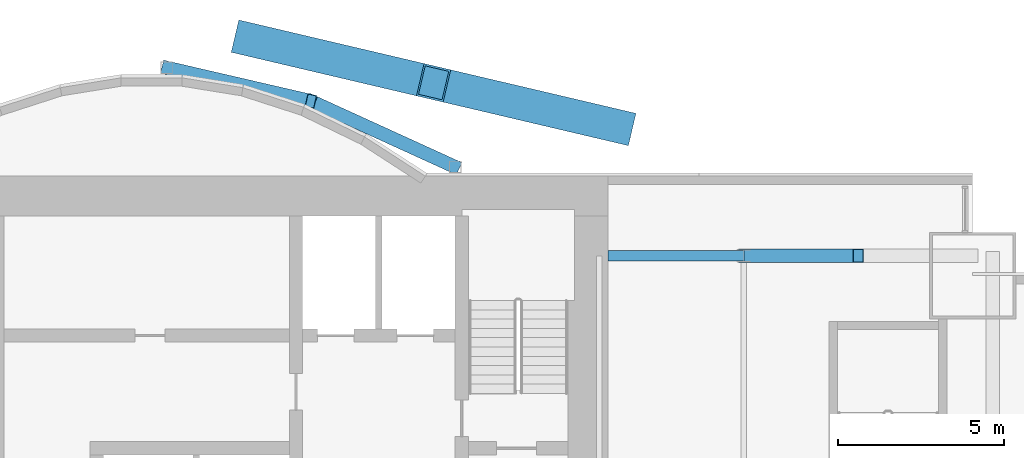
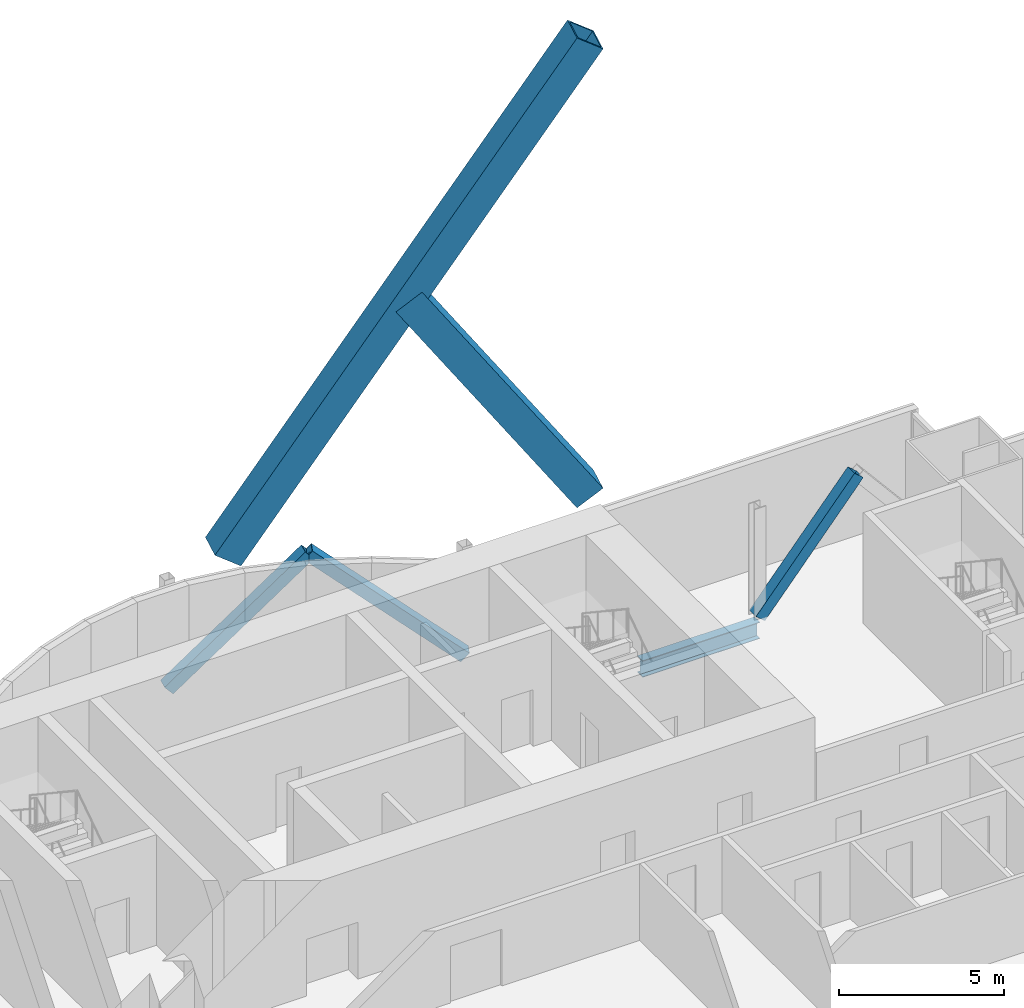
# One storey, part 13 of 23: 5 members, 1 beam.
"""IFC4 building model written with IfcOpenShell, lengths in metres."""

from ifc_helpers import new_model, si_unit, direction, frame, origin, origin_2d, place, context, subcontext, project, spatial, hollow_rectangle, i_section, extrude, material, material_profile, profile_set, type_object, element, save


model = new_model("IFC4")

# Units and contexts
model_context = context("Model", 3, precision=1e-05, world=origin(), true_north=direction((0.0, 1.0)))
body_context = subcontext(model_context, "Body", "Model", "MODEL_VIEW")
ifc_project = project(units=[si_unit("LENGTHUNIT", "METRE"), si_unit("AREAUNIT", "SQUARE_METRE"), si_unit("VOLUMEUNIT", "CUBIC_METRE"), si_unit("PLANEANGLEUNIT", "RADIAN"), si_unit("MASSUNIT", "GRAM", prefix="KILO")], contexts=[model_context])

# Site, building, storey
site_placement = place(None, origin())
site = spatial("IfcSite", under=ifc_project, at=site_placement, CompositionType="ELEMENT")
building_placement = place(site_placement, origin())
building = spatial("IfcBuilding", under=site, at=building_placement, Name="Bicima Exchange Tower", CompositionType="ELEMENT")
storey_placement = place(building_placement, frame((0.0, 0.0, 152.699951171875)))
storey = spatial("IfcBuildingStorey", under=building, at=storey_placement, Name="L33", CompositionType="ELEMENT", Elevation=152.699951171875)

# Members
ifc_material_1 = material(Name="Steel ASTM A572 Gr 50", Category="steel")
ifc_material_profile_1 = material_profile(ifc_material_1, hollow_rectangle(XDim=1.0, YDim=1.0, WallThickness=0.06005859375, at=origin_2d()))
ifc_profile_set_1 = profile_set([ifc_material_profile_1], Name="Steel ASTM A572 Gr 50")
member_type_1 = type_object("IfcMemberType", Name="Exo mega brace BOX 1000x1000x60", PredefinedType="BRACE", material=ifc_profile_set_1)
member_1_placement = place(storey_placement, frame((11.166748046875, 4.125, 3.63330078125), z_axis=(0.54817644634, -0.128864251848, 0.826375573377), x_axis=(0.228840031766, 0.973464041381, 0.0)))
element("IfcMember", 1, at=member_1_placement, inside=storey, type_object=member_type_1, Name="Exo mega brace rear", PredefinedType="BRACE", context=body_context, shape_type="SweptSolid", body=[
    extrude(hollow_rectangle(XDim=1.0, YDim=1.0, WallThickness=0.06005859375, at=origin_2d()), origin(), (0.0, 0.0, 1.0), 20.370361328125),
])
member_2_placement = place(storey_placement, frame((22.333251953125, 1.5, 3.63330078125), z_axis=(-0.54817644634, 0.128864251848, 0.826375573377), x_axis=(-0.228840031766, -0.973464041381, 0.0)))
element("IfcMember", 2, at=member_2_placement, inside=storey, type_object=member_type_1, Name="Exo mega brace rear", PredefinedType="BRACE", context=body_context, shape_type="SweptSolid", body=[
    extrude(hollow_rectangle(XDim=1.0, YDim=1.0, WallThickness=0.06005859375, at=origin_2d()), origin(), (0.0, 0.0, 1.0), 10.18505859375),
])
ifc_material_profile_2 = material_profile(ifc_material_1, hollow_rectangle(XDim=0.406494140625, YDim=0.406494140625, WallThickness=0.017822265625, at=origin_2d()))
ifc_profile_set_2 = profile_set([ifc_material_profile_2], Name="Steel ASTM A572 Gr 50")
member_type_2 = type_object("IfcMemberType", Name="Mega brace HSS16x16x3/4", PredefinedType="BRACE", material=ifc_profile_set_2)
member_3_placement = place(storey_placement, frame((8.699951171875, 3.26904296875, 0.0), z_axis=(0.717605620354, -0.166050509188, 0.676364843878), x_axis=(0.225438503722, 0.974257399787, 0.0)))
element("IfcMember", 3, at=member_3_placement, inside=storey, type_object=member_type_2, Name="Mega brace rexo", PredefinedType="BRACE", context=body_context, shape_type="SweptSolid", body=[
    extrude(hollow_rectangle(XDim=0.406494140625, YDim=0.406494140625, WallThickness=0.017822265625, at=origin_2d()), origin(), (0.0, 0.0, 1.0), 6.06201171875),
])
member_4_placement = place(storey_placement, frame((17.39990234375, 0.278076171875, 0.0), z_axis=(-0.690628963585, 0.315060460011, 0.650975069565), x_axis=(-0.415045223819, -0.909800781592, 0.0)))
element("IfcMember", 4, at=member_4_placement, inside=storey, type_object=member_type_2, Name="Mega brace rexo", PredefinedType="BRACE", context=body_context, shape_type="SweptSolid", body=[
    extrude(hollow_rectangle(XDim=0.406494140625, YDim=0.406494140625, WallThickness=0.017822265625, at=origin_2d()), origin(), (0.0, 0.0, 1.0), 6.29833984375),
])
member_5_placement = place(storey_placement, frame((26.10009765625, -2.39990234375, 0.0), z_axis=(0.643834042494, 0.0, 0.765165162384), x_axis=(0.0, 1.0, 0.0)))
element("IfcMember", 5, at=member_5_placement, inside=storey, type_object=member_type_2, Name="Mega brace rear", PredefinedType="BRACE", context=body_context, shape_type="SweptSolid", body=[
    extrude(hollow_rectangle(XDim=0.406494140625, YDim=0.406494140625, WallThickness=0.017822265625, at=origin_2d()), origin(), (0.0, 0.0, 1.0), 5.3583984375),
])

# Beam
ifc_material_2 = material(Name="Steel ASTM A992 Gr 50", Category="steel")
ifc_material_profile_3 = material_profile(ifc_material_2, i_section(OverallWidth=0.3251953125, OverallDepth=0.612060546875, WebThickness=0.0126953125, FlangeThickness=0.01904296875, at=origin_2d()))
ifc_profile_set_3 = profile_set([ifc_material_profile_3], Name="Steel ASTM A992 Gr 50")
beam_type = type_object("IfcBeamType", Name="Rear girder W24x104", PredefinedType="BEAM", material=ifc_profile_set_3)
beam_placement = place(storey_placement, frame((22.0, -2.39990234375, -0.4560546875), z_axis=(1.0, 0.0, 0.0), x_axis=(0.0, 1.0, 0.0)))
element("IfcBeam", 6, at=beam_placement, inside=storey, type_object=beam_type, Name="Rear girder", PredefinedType="BEAM", context=body_context, shape_type="SweptSolid", body=[
    extrude(i_section(OverallWidth=0.3251953125, OverallDepth=0.612060546875, WebThickness=0.0126953125, FlangeThickness=0.01904296875, at=origin_2d()), origin(), (0.0, 0.0, 1.0), 4.10009765625),
])

save(model, "model.ifc")
